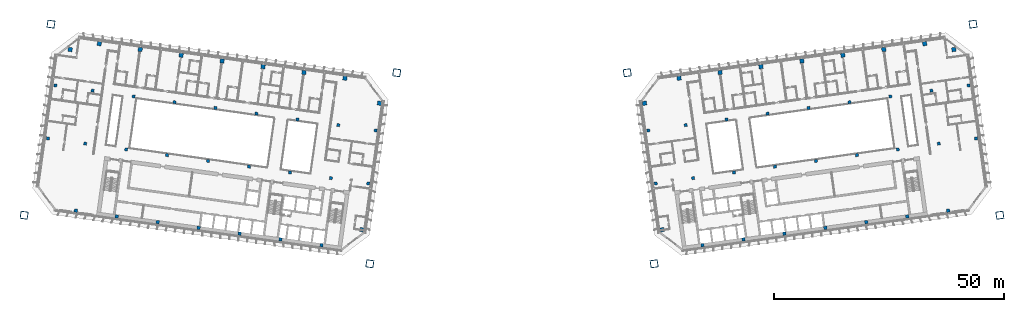
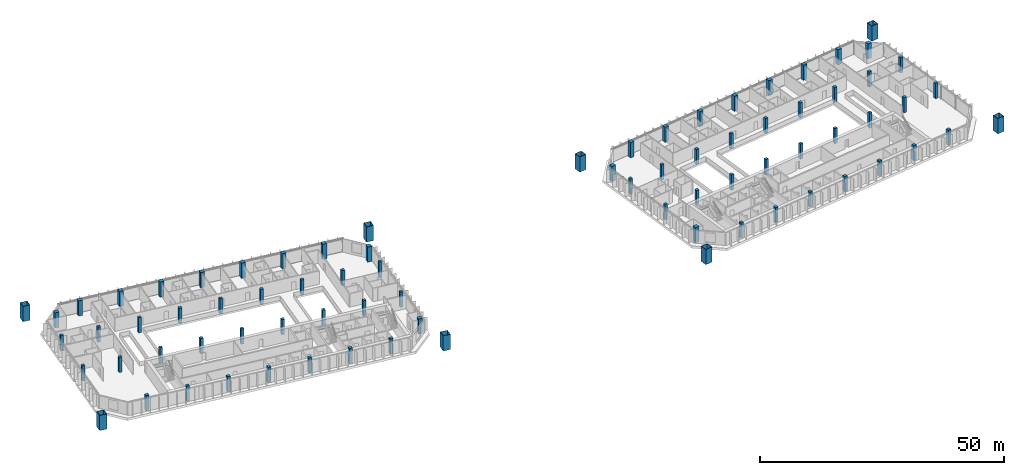
# One storey, part 1 of 26: 78 columns.
"""IFC4 building model written with IfcOpenShell, lengths in metres."""

from ifc_helpers import new_model, si_unit, direction, frame, origin, origin_2d, place, context, subcontext, project, spatial, rectangle, hollow_rectangle, extrude, material, material_profile, profile_set, type_object, element, save


model = new_model("IFC4")

# Units and contexts
model_context = context("Model", 3, precision=1e-05, world=origin(), true_north=direction((0.0, 1.0)))
body_context = subcontext(model_context, "Body", "Model", "MODEL_VIEW")
ifc_project = project(units=[si_unit("LENGTHUNIT", "METRE"), si_unit("AREAUNIT", "SQUARE_METRE"), si_unit("VOLUMEUNIT", "CUBIC_METRE"), si_unit("PLANEANGLEUNIT", "RADIAN"), si_unit("MASSUNIT", "GRAM", prefix="KILO")], contexts=[model_context])

# Site, building, storey
site_placement = place(None, origin())
site = spatial("IfcSite", under=ifc_project, at=site_placement, CompositionType="ELEMENT")
building_placement = place(site_placement, origin())
building = spatial("IfcBuilding", under=site, at=building_placement, Name="Mirante Cascada Hotel Towers", CompositionType="ELEMENT")
storey_placement = place(building_placement, frame((0.0, 0.0, 140.5)))
storey = spatial("IfcBuildingStorey", under=building, at=storey_placement, Name="L32", CompositionType="ELEMENT", Elevation=140.5)

# Columns
ifc_material_1 = material(Name="Steel ASTM A572 Gr 50", Category="steel")
ifc_material_profile_1 = material_profile(ifc_material_1, hollow_rectangle(XDim=1.6, YDim=1.6, WallThickness=0.07, at=origin_2d()), Name="Box column 1600x1600x70 ASTM A572 Gr 50")
ifc_profile_set_1 = profile_set([ifc_material_profile_1], Name="Steel ASTM A572 Gr 50")
column_type_1 = type_object("IfcColumnType", Name="Box column 1600x1600x70 ASTM A572 Gr 50", PredefinedType="COLUMN", material=ifc_profile_set_1)
for number, where, z_axis, x_axis, name in (
    (1, (-25.0968, 18.5173, 0.0), (0.0, 0.0, 1.0), (-0.9902681, 0.1391731, 0.0), "Mega column MC1 T1 L32"),
    (2, (-30.9421, -23.074, 0.0), (0.0, 0.0, 1.0), (-0.9902681, 0.1391731, 0.0), "Mega column MC2 T1 L32"),
    (3, (-100.3572, 29.0944, 0.0), (0.0, 0.0, 1.0), (-0.9902681, 0.1391731, 0.0), "Mega column MC3 T1 L32"),
    (4, (-106.2025, -12.4968, 0.0), (0.0, 0.0, 1.0), (-0.9902681, 0.1391731, 0.0), "Mega column MC4 T1 L32"),
    (5, (25.0968, 18.5173, 0.0), (0.0, 0.0, 1.0), (0.9902681, 0.1391731, 0.0), "Mega column MC1 T2 L32"),
    (6, (30.9421, -23.074, 0.0), (0.0, 0.0, 1.0), (0.9902681, 0.1391731, 0.0), "Mega column MC2 T2 L32"),
    (7, (100.3572, 29.0944, 0.0), (0.0, 0.0, 1.0), (0.9902681, 0.1391731, 0.0), "Mega column MC3 T2 L32"),
    (8, (106.2025, -12.4968, 0.0), (0.0, 0.0, 1.0), (0.9902681, 0.1391731, 0.0), "Mega column MC4 T2 L32"),
):
    element("IfcColumn", number, at=place(storey_placement, frame(where, z_axis=z_axis, x_axis=x_axis)), inside=storey, type_object=column_type_1, Name=name, PredefinedType="COLUMN", context=body_context, shape_type="SweptSolid", body=[
        extrude(hollow_rectangle(XDim=1.6, YDim=1.6, WallThickness=0.07, at=origin_2d()), origin(), (0.0, 0.0, 1.0), 3.8),
    ])
ifc_material_2 = material(Name="Concrete C60/75", Category="concrete")
ifc_material_profile_2 = material_profile(ifc_material_2, rectangle(XDim=0.65, YDim=0.65, at=origin_2d()), Name="RC column 650x650 C60/75")
ifc_profile_set_2 = profile_set([ifc_material_profile_2], Name="Concrete C60/75")
column_type_2 = type_object("IfcColumnType", Name="RC column 650x650 C60/75", PredefinedType="COLUMN", material=ifc_profile_set_2)
for number, where, z_axis, x_axis, name in (
    (9, (-29.6893, 5.9592, 0.0), (0.0, 0.0, 1.0), (-0.9902681, 0.1391731, 0.0), "Column T1 L32 2"),
    (10, (-31.3106, -5.5774, 0.0), (0.0, 0.0, 1.0), (-0.9902681, 0.1391731, 0.0), "Column T1 L32 3"),
    (11, (-37.8095, 7.1004, 0.0), (0.0, 0.0, 1.0), (-0.9902681, 0.1391731, 0.0), "Column T1 L32 6"),
    (12, (-39.4308, -4.4362, 0.0), (0.0, 0.0, 1.0), (-0.9902681, 0.1391731, 0.0), "Column T1 L32 7"),
    (13, (-46.7219, 8.353, 0.0), (0.0, 0.0, 1.0), (-0.9902681, 0.1391731, 0.0), "Column T1 L32 10"),
    (14, (-48.3432, -3.1836, 0.0), (0.0, 0.0, 1.0), (-0.9902681, 0.1391731, 0.0), "Column T1 L32 11"),
    (15, (-55.6343, 9.6055, 0.0), (0.0, 0.0, 1.0), (-0.9902681, 0.1391731, 0.0), "Column T1 L32 14"),
    (16, (-57.2557, -1.9311, 0.0), (0.0, 0.0, 1.0), (-0.9902681, 0.1391731, 0.0), "Column T1 L32 15"),
    (17, (-64.5467, 10.8581, 0.0), (0.0, 0.0, 1.0), (-0.9902681, 0.1391731, 0.0), "Column T1 L32 18"),
    (18, (-66.1681, -0.6785, 0.0), (0.0, 0.0, 1.0), (-0.9902681, 0.1391731, 0.0), "Column T1 L32 19"),
    (19, (-73.4591, 12.1107, 0.0), (0.0, 0.0, 1.0), (-0.9902681, 0.1391731, 0.0), "Column T1 L32 22"),
    (20, (-75.0805, 0.574, 0.0), (0.0, 0.0, 1.0), (-0.9902681, 0.1391731, 0.0), "Column T1 L32 23"),
    (21, (-82.3715, 13.3632, 0.0), (0.0, 0.0, 1.0), (-0.9902681, 0.1391731, 0.0), "Column T1 L32 26"),
    (22, (-83.9929, 1.8266, 0.0), (0.0, 0.0, 1.0), (-0.9902681, 0.1391731, 0.0), "Column T1 L32 27"),
    (23, (-91.2839, 14.6158, 0.0), (0.0, 0.0, 1.0), (-0.9902681, 0.1391731, 0.0), "Column T1 L32 30"),
    (24, (-92.9053, 3.0792, 0.0), (0.0, 0.0, 1.0), (-0.9902681, 0.1391731, 0.0), "Column T1 L32 31"),
    (25, (-99.4041, 15.757, 0.0), (0.0, 0.0, 1.0), (-0.9902681, 0.1391731, 0.0), "Column T1 L32 34"),
    (26, (-101.0255, 4.2204, 0.0), (0.0, 0.0, 1.0), (-0.9902681, 0.1391731, 0.0), "Column T1 L32 35"),
    (27, (29.6893, 5.9592, 0.0), (0.0, 0.0, 1.0), (0.9902681, 0.1391731, 0.0), "Column T2 L32 2"),
    (28, (31.3106, -5.5774, 0.0), (0.0, 0.0, 1.0), (0.9902681, 0.1391731, 0.0), "Column T2 L32 3"),
    (29, (37.8095, 7.1004, 0.0), (0.0, 0.0, 1.0), (0.9902681, 0.1391731, 0.0), "Column T2 L32 6"),
    (30, (39.4308, -4.4362, 0.0), (0.0, 0.0, 1.0), (0.9902681, 0.1391731, 0.0), "Column T2 L32 7"),
    (31, (46.7219, 8.353, 0.0), (0.0, 0.0, 1.0), (0.9902681, 0.1391731, 0.0), "Column T2 L32 10"),
    (32, (48.3432, -3.1836, 0.0), (0.0, 0.0, 1.0), (0.9902681, 0.1391731, 0.0), "Column T2 L32 11"),
    (33, (55.6343, 9.6055, 0.0), (0.0, 0.0, 1.0), (0.9902681, 0.1391731, 0.0), "Column T2 L32 14"),
    (34, (57.2557, -1.9311, 0.0), (0.0, 0.0, 1.0), (0.9902681, 0.1391731, 0.0), "Column T2 L32 15"),
    (35, (64.5467, 10.8581, 0.0), (0.0, 0.0, 1.0), (0.9902681, 0.1391731, 0.0), "Column T2 L32 18"),
    (36, (66.1681, -0.6785, 0.0), (0.0, 0.0, 1.0), (0.9902681, 0.1391731, 0.0), "Column T2 L32 19"),
    (37, (73.4591, 12.1107, 0.0), (0.0, 0.0, 1.0), (0.9902681, 0.1391731, 0.0), "Column T2 L32 22"),
    (38, (75.0805, 0.574, 0.0), (0.0, 0.0, 1.0), (0.9902681, 0.1391731, 0.0), "Column T2 L32 23"),
    (39, (82.3715, 13.3632, 0.0), (0.0, 0.0, 1.0), (0.9902681, 0.1391731, 0.0), "Column T2 L32 26"),
    (40, (83.9929, 1.8266, 0.0), (0.0, 0.0, 1.0), (0.9902681, 0.1391731, 0.0), "Column T2 L32 27"),
    (41, (91.2839, 14.6158, 0.0), (0.0, 0.0, 1.0), (0.9902681, 0.1391731, 0.0), "Column T2 L32 30"),
    (42, (92.9053, 3.0792, 0.0), (0.0, 0.0, 1.0), (0.9902681, 0.1391731, 0.0), "Column T2 L32 31"),
    (43, (99.4041, 15.757, 0.0), (0.0, 0.0, 1.0), (0.9902681, 0.1391731, 0.0), "Column T2 L32 34"),
    (44, (101.0255, 4.2204, 0.0), (0.0, 0.0, 1.0), (0.9902681, 0.1391731, 0.0), "Column T2 L32 35"),
):
    element("IfcColumn", number, at=place(storey_placement, frame(where, z_axis=z_axis, x_axis=x_axis)), inside=storey, type_object=column_type_2, Name=name, PredefinedType="COLUMN", context=body_context, shape_type="SweptSolid", body=[
        extrude(rectangle(XDim=0.65, YDim=0.65, at=origin_2d()), origin(), (0.0, 0.0, 1.0), 3.8),
    ])
ifc_material_3 = material(Name="Concrete C60/75", Category="concrete")
ifc_material_profile_3 = material_profile(ifc_material_3, rectangle(XDim=0.7, YDim=0.7, at=origin_2d()), Name="RC column 700x700 C60/75")
ifc_profile_set_3 = profile_set([ifc_material_profile_3], Name="Concrete C60/75")
column_type_3 = type_object("IfcColumnType", Name="RC column 700x700 C60/75", PredefinedType="COLUMN", material=ifc_profile_set_3)
for number, where, z_axis, x_axis, name in (
    (45, (-41.4802, -19.0179, 0.0), (0.0, 0.0, 1.0), (-0.9902681, 0.1391731, 0.0), "Column T1 L32 8"),
    (46, (-50.3926, -17.7653, 0.0), (0.0, 0.0, 1.0), (-0.9902681, 0.1391731, 0.0), "Column T1 L32 12"),
    (47, (-59.305, -16.5128, 0.0), (0.0, 0.0, 1.0), (-0.9902681, 0.1391731, 0.0), "Column T1 L32 16"),
    (48, (-68.2174, -15.2602, 0.0), (0.0, 0.0, 1.0), (-0.9902681, 0.1391731, 0.0), "Column T1 L32 20"),
    (49, (-77.1298, -14.0077, 0.0), (0.0, 0.0, 1.0), (-0.9902681, 0.1391731, 0.0), "Column T1 L32 24"),
    (50, (-86.0422, -12.7551, 0.0), (0.0, 0.0, 1.0), (-0.9902681, 0.1391731, 0.0), "Column T1 L32 28"),
    (51, (-94.9546, -11.5025, 0.0), (0.0, 0.0, 1.0), (-0.9902681, 0.1391731, 0.0), "Column T1 L32 32"),
    (52, (41.4802, -19.0179, 0.0), (0.0, 0.0, 1.0), (0.9902681, 0.1391731, 0.0), "Column T2 L32 8"),
    (53, (50.3926, -17.7653, 0.0), (0.0, 0.0, 1.0), (0.9902681, 0.1391731, 0.0), "Column T2 L32 12"),
    (54, (59.305, -16.5128, 0.0), (0.0, 0.0, 1.0), (0.9902681, 0.1391731, 0.0), "Column T2 L32 16"),
    (55, (68.2174, -15.2602, 0.0), (0.0, 0.0, 1.0), (0.9902681, 0.1391731, 0.0), "Column T2 L32 20"),
    (56, (77.1298, -14.0077, 0.0), (0.0, 0.0, 1.0), (0.9902681, 0.1391731, 0.0), "Column T2 L32 24"),
    (57, (86.0422, -12.7551, 0.0), (0.0, 0.0, 1.0), (0.9902681, 0.1391731, 0.0), "Column T2 L32 28"),
    (58, (94.9546, -11.5025, 0.0), (0.0, 0.0, 1.0), (0.9902681, 0.1391731, 0.0), "Column T2 L32 32"),
):
    element("IfcColumn", number, at=place(storey_placement, frame(where, z_axis=z_axis, x_axis=x_axis)), inside=storey, type_object=column_type_3, Name=name, PredefinedType="COLUMN", context=body_context, shape_type="SweptSolid", body=[
        extrude(rectangle(XDim=0.7, YDim=0.7, at=origin_2d()), origin(), (0.0, 0.0, 1.0), 3.8),
    ])
ifc_material_4 = material(Name="Concrete C60/75", Category="concrete")
ifc_material_profile_4 = material_profile(ifc_material_4, rectangle(XDim=0.9, YDim=0.9, at=origin_2d()), Name="RC column 900x900 C60/75")
ifc_profile_set_4 = profile_set([ifc_material_profile_4], Name="Concrete C60/75")
column_type_4 = type_object("IfcColumnType", Name="RC column 900x900 C60/75", PredefinedType="COLUMN", material=ifc_profile_set_4)
for number, where, z_axis, x_axis, name in (
    (59, (-28.8577, 11.8761, 0.0), (0.0, 0.0, 1.0), (-0.9902681, 0.1391731, 0.0), "Column T1 L32 1"),
    (60, (-32.7267, -15.6534, 0.0), (0.0, 0.0, 1.0), (-0.9902681, 0.1391731, 0.0), "Column T1 L32 4"),
    (61, (-36.3725, 17.325, 0.0), (0.0, 0.0, 1.0), (-0.9902681, 0.1391731, 0.0), "Column T1 L32 5"),
    (62, (-45.2849, 18.5775, 0.0), (0.0, 0.0, 1.0), (-0.9902681, 0.1391731, 0.0), "Column T1 L32 9"),
    (63, (-54.1973, 19.8301, 0.0), (0.0, 0.0, 1.0), (-0.9902681, 0.1391731, 0.0), "Column T1 L32 13"),
    (64, (-63.1097, 21.0826, 0.0), (0.0, 0.0, 1.0), (-0.9902681, 0.1391731, 0.0), "Column T1 L32 17"),
    (65, (-72.0222, 22.3352, 0.0), (0.0, 0.0, 1.0), (-0.9902681, 0.1391731, 0.0), "Column T1 L32 21"),
    (66, (-80.9346, 23.5877, 0.0), (0.0, 0.0, 1.0), (-0.9902681, 0.1391731, 0.0), "Column T1 L32 25"),
    (67, (-89.847, 24.8403, 0.0), (0.0, 0.0, 1.0), (-0.9902681, 0.1391731, 0.0), "Column T1 L32 29"),
    (68, (-96.1868, 23.5602, 0.0), (0.0, 0.0, 1.0), (-0.9902681, 0.1391731, 0.0), "Column T1 L32 33"),
    (69, (28.8577, 11.8761, 0.0), (0.0, 0.0, 1.0), (0.9902681, 0.1391731, 0.0), "Column T2 L32 1"),
    (70, (32.7267, -15.6534, 0.0), (0.0, 0.0, 1.0), (0.9902681, 0.1391731, 0.0), "Column T2 L32 4"),
    (71, (36.3725, 17.325, 0.0), (0.0, 0.0, 1.0), (0.9902681, 0.1391731, 0.0), "Column T2 L32 5"),
    (72, (45.2849, 18.5775, 0.0), (0.0, 0.0, 1.0), (0.9902681, 0.1391731, 0.0), "Column T2 L32 9"),
    (73, (54.1973, 19.8301, 0.0), (0.0, 0.0, 1.0), (0.9902681, 0.1391731, 0.0), "Column T2 L32 13"),
    (74, (63.1097, 21.0826, 0.0), (0.0, 0.0, 1.0), (0.9902681, 0.1391731, 0.0), "Column T2 L32 17"),
    (75, (72.0222, 22.3352, 0.0), (0.0, 0.0, 1.0), (0.9902681, 0.1391731, 0.0), "Column T2 L32 21"),
    (76, (80.9346, 23.5877, 0.0), (0.0, 0.0, 1.0), (0.9902681, 0.1391731, 0.0), "Column T2 L32 25"),
    (77, (89.847, 24.8403, 0.0), (0.0, 0.0, 1.0), (0.9902681, 0.1391731, 0.0), "Column T2 L32 29"),
    (78, (96.1868, 23.5602, 0.0), (0.0, 0.0, 1.0), (0.9902681, 0.1391731, 0.0), "Column T2 L32 33"),
):
    element("IfcColumn", number, at=place(storey_placement, frame(where, z_axis=z_axis, x_axis=x_axis)), inside=storey, type_object=column_type_4, Name=name, PredefinedType="COLUMN", context=body_context, shape_type="SweptSolid", body=[
        extrude(rectangle(XDim=0.9, YDim=0.9, at=origin_2d()), origin(), (0.0, 0.0, 1.0), 3.8),
    ])

save(model, "model.ifc")
